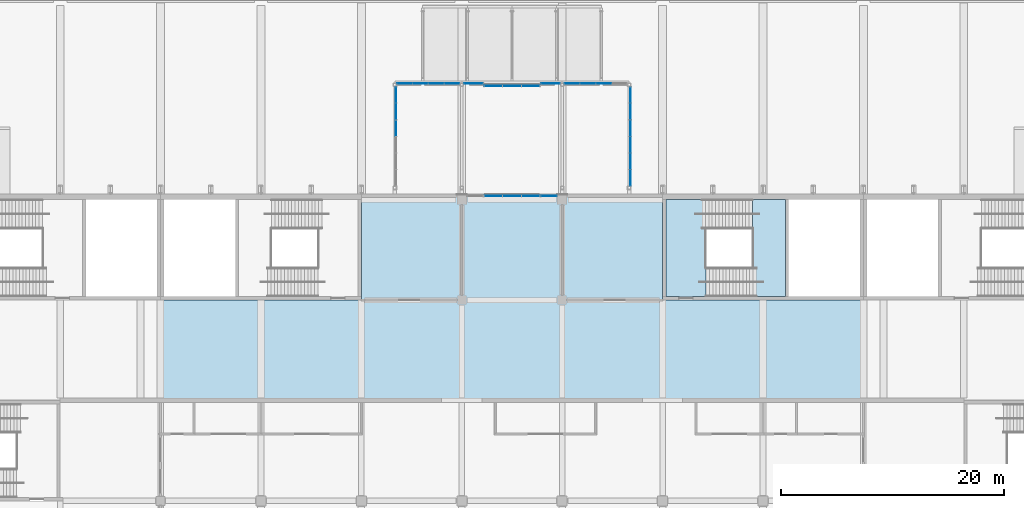
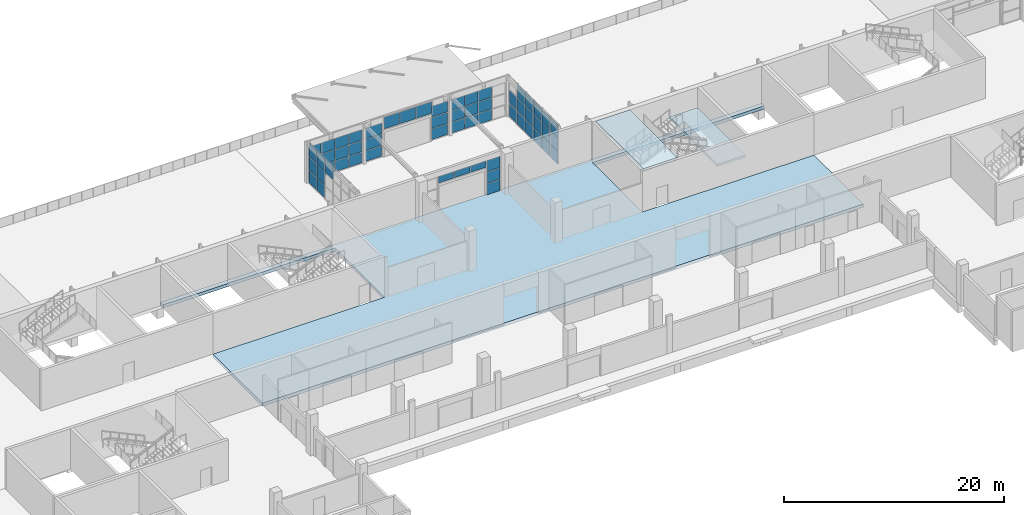
# One storey, part 88 of 168: 60 plates, 3 slabs, 10 elements without a shape of their own.
"""IFC4 building model written with IfcOpenShell, lengths in metres."""

from ifc_helpers import new_model, si_unit, direction, frame, origin, origin_2d, place, context, subcontext, project, spatial, polyline, rectangle, outline, extrude, material, layer, layer_set, type_object, element, aggregate, save


model = new_model("IFC4")

# Units and contexts
model_context = context("Model", 3, precision=1e-05, world=origin(), true_north=direction((0.0, 1.0)))
body_context = subcontext(model_context, "Body", "Model", "MODEL_VIEW")
ifc_project = project(units=[si_unit("LENGTHUNIT", "METRE"), si_unit("AREAUNIT", "SQUARE_METRE"), si_unit("VOLUMEUNIT", "CUBIC_METRE"), si_unit("PLANEANGLEUNIT", "RADIAN"), si_unit("MASSUNIT", "GRAM", prefix="KILO")], contexts=[model_context])

# Site, building, storey
site_placement = place(None, origin())
site = spatial("IfcSite", under=ifc_project, at=site_placement, CompositionType="ELEMENT")
building_placement = place(site_placement, origin())
building = spatial("IfcBuilding", under=site, at=building_placement, Name="Silverbay Arena", CompositionType="ELEMENT")
storey_placement = place(building_placement, frame((0.0, 0.0, 7.0)))
storey = spatial("IfcBuildingStorey", under=building, at=storey_placement, Name="L01", CompositionType="ELEMENT", Elevation=7.0)

# Curtain wall, plates
ifc_material_1 = material(Name="Aluminium framed curtain wall", Category="aluminium")
curtain_wall_type_1 = type_object("IfcCurtainWallType", Name="Curtain wall 1500 x 3900", PredefinedType="NOTDEFINED", material=ifc_material_1)
curtain_wall_1_placement = place(storey_placement, origin())
curtain_wall_1 = element("IfcCurtainWall", 1, at=curtain_wall_1_placement, inside=storey, type_object=curtain_wall_type_1, Name="North curtain wall L01 bay 12", PredefinedType="NOTDEFINED")
ifc_material_2 = material(Name="Laminated glass", Category="glass")
ifc_layer_1 = layer(ifc_material_2, 0.028076171875)
ifc_layer_set_1 = layer_set([ifc_layer_1], Name="Laminated glass")
plate_type = type_object("IfcPlateType", Name="Glass panel 28", PredefinedType="CURTAIN_PANEL", material=ifc_layer_set_1)
plate_1_placement = place(storey_placement, frame((133.800048828125, 144.330078125, 0.050048828125), z_axis=(0.0, 0.0, 1.0), x_axis=(-1.0, 0.0, 0.0)))
plate_1 = element("IfcPlate", 2, at=plate_1_placement, type_object=plate_type, Name="CW4 panel 1.1", PredefinedType="CURTAIN_PANEL", context=body_context, shape_type="SweptSolid", body=[
    extrude(rectangle(XDim=1.3798828125, YDim=0.028076171875, at=origin_2d()), origin(), (0.0, 0.0, 1.0), 1.22509765625),
])
plate_2_placement = place(storey_placement, frame((133.800048828125, 144.330078125, 1.324951171875), z_axis=(0.0, 0.0, 1.0), x_axis=(-1.0, 0.0, 0.0)))
plate_2 = element("IfcPlate", 3, at=plate_2_placement, type_object=plate_type, Name="CW4 panel 1.2", PredefinedType="CURTAIN_PANEL", context=body_context, shape_type="SweptSolid", body=[
    extrude(rectangle(XDim=1.3798828125, YDim=0.028076171875, at=origin_2d()), origin(), (0.0, 0.0, 1.0), 1.25),
])
plate_3_placement = place(storey_placement, frame((133.800048828125, 144.330078125, 2.625), z_axis=(0.0, 0.0, 1.0), x_axis=(-1.0, 0.0, 0.0)))
plate_3 = element("IfcPlate", 4, at=plate_3_placement, type_object=plate_type, Name="CW4 panel 1.3", PredefinedType="CURTAIN_PANEL", context=body_context, shape_type="SweptSolid", body=[
    extrude(rectangle(XDim=1.3798828125, YDim=0.028076171875, at=origin_2d()), origin(), (0.0, 0.0, 1.0), 1.22509765625),
])
aggregate(curtain_wall_1, [plate_1, plate_2, plate_3])

ifc_material_3 = material(Name="Aluminium framed curtain wall", Category="aluminium")
curtain_wall_type_2 = type_object("IfcCurtainWallType", Name="Curtain wall 5100 x 800", PredefinedType="NOTDEFINED", material=ifc_material_3)
curtain_wall_2_placement = place(storey_placement, origin())
curtain_wall_2 = element("IfcCurtainWall", 5, at=curtain_wall_2_placement, inside=storey, type_object=curtain_wall_type_2, Name="North curtain wall L01 bay 12", PredefinedType="NOTDEFINED")
plate_4_placement = place(storey_placement, frame((132.18505859375, 144.330078125, 3.14990234375), z_axis=(0.0, 0.0, 1.0), x_axis=(-1.0, 0.0, 0.0)))
plate_4 = element("IfcPlate", 6, at=plate_4_placement, type_object=plate_type, Name="CW3 panel 1.1", PredefinedType="CURTAIN_PANEL", context=body_context, shape_type="SweptSolid", body=[
    extrude(rectangle(XDim=1.610107421875, YDim=0.028076171875, at=origin_2d()), origin(), (0.0, 0.0, 1.0), 0.699951171875),
])
plate_5_placement = place(storey_placement, frame((130.5, 144.330078125, 3.14990234375), z_axis=(0.0, 0.0, 1.0), x_axis=(-1.0, 0.0, 0.0)))
plate_5 = element("IfcPlate", 7, at=plate_5_placement, type_object=plate_type, Name="CW3 panel 2.1", PredefinedType="CURTAIN_PANEL", context=body_context, shape_type="SweptSolid", body=[
    extrude(rectangle(XDim=1.639892578125, YDim=0.028076171875, at=origin_2d()), origin(), (0.0, 0.0, 1.0), 0.699951171875),
])
plate_6_placement = place(storey_placement, frame((128.81494140625, 144.330078125, 3.14990234375), z_axis=(0.0, 0.0, 1.0), x_axis=(-1.0, 0.0, 0.0)))
plate_6 = element("IfcPlate", 8, at=plate_6_placement, type_object=plate_type, Name="CW3 panel 3.1", PredefinedType="CURTAIN_PANEL", context=body_context, shape_type="SweptSolid", body=[
    extrude(rectangle(XDim=1.610107421875, YDim=0.028076171875, at=origin_2d()), origin(), (0.0, 0.0, 1.0), 0.699951171875),
])
aggregate(curtain_wall_2, [plate_4, plate_5, plate_6])

ifc_material_4 = material(Name="Aluminium framed curtain wall", Category="aluminium")
curtain_wall_type_3 = type_object("IfcCurtainWallType", Name="Curtain wall 5700 x 3800", PredefinedType="NOTDEFINED", material=ifc_material_4)
curtain_wall_3_placement = place(storey_placement, origin())
curtain_wall_3 = element("IfcCurtainWall", 9, at=curtain_wall_3_placement, inside=storey, type_object=curtain_wall_type_3, Name="North entrance hall N1 glazing F0", PredefinedType="NOTDEFINED")
plate_7_placement = place(storey_placement, frame((120.87744140625, 154.409912109375, 0.0498046875), z_axis=(0.0, 0.0, 1.0), x_axis=(1.0, 0.0, 0.0)))
plate_7 = element("IfcPlate", 10, at=plate_7_placement, type_object=plate_type, Name="CW42 panel 1.1", PredefinedType="CURTAIN_PANEL", context=body_context, shape_type="SweptSolid", body=[
    extrude(rectangle(XDim=1.3349609375, YDim=0.028076171875, at=origin_2d()), origin(), (0.0, 0.0, 1.0), 1.191650390625),
])
plate_8_placement = place(storey_placement, frame((120.87744140625, 154.409912109375, 1.29150390625), z_axis=(0.0, 0.0, 1.0), x_axis=(1.0, 0.0, 0.0)))
plate_8 = element("IfcPlate", 11, at=plate_8_placement, type_object=plate_type, Name="CW42 panel 1.2", PredefinedType="CURTAIN_PANEL", context=body_context, shape_type="SweptSolid", body=[
    extrude(rectangle(XDim=1.3349609375, YDim=0.028076171875, at=origin_2d()), origin(), (0.0, 0.0, 1.0), 1.216552734375),
])
plate_9_placement = place(storey_placement, frame((120.87744140625, 154.409912109375, 2.55810546875), z_axis=(0.0, 0.0, 1.0), x_axis=(1.0, 0.0, 0.0)))
plate_9 = element("IfcPlate", 12, at=plate_9_placement, type_object=plate_type, Name="CW42 panel 1.3", PredefinedType="CURTAIN_PANEL", context=body_context, shape_type="SweptSolid", body=[
    extrude(rectangle(XDim=1.3349609375, YDim=0.028076171875, at=origin_2d()), origin(), (0.0, 0.0, 1.0), 1.191650390625),
])
plate_10_placement = place(storey_placement, frame((122.28759765625, 154.409912109375, 0.0498046875), z_axis=(0.0, 0.0, 1.0), x_axis=(1.0, 0.0, 0.0)))
plate_10 = element("IfcPlate", 13, at=plate_10_placement, type_object=plate_type, Name="CW42 panel 2.1", PredefinedType="CURTAIN_PANEL", context=body_context, shape_type="SweptSolid", body=[
    extrude(rectangle(XDim=1.364990234375, YDim=0.028076171875, at=origin_2d()), origin(), (0.0, 0.0, 1.0), 1.191650390625),
])
plate_11_placement = place(storey_placement, frame((122.28759765625, 154.409912109375, 1.29150390625), z_axis=(0.0, 0.0, 1.0), x_axis=(1.0, 0.0, 0.0)))
plate_11 = element("IfcPlate", 14, at=plate_11_placement, type_object=plate_type, Name="CW42 panel 2.2", PredefinedType="CURTAIN_PANEL", context=body_context, shape_type="SweptSolid", body=[
    extrude(rectangle(XDim=1.364990234375, YDim=0.028076171875, at=origin_2d()), origin(), (0.0, 0.0, 1.0), 1.216552734375),
])
plate_12_placement = place(storey_placement, frame((122.28759765625, 154.409912109375, 2.55810546875), z_axis=(0.0, 0.0, 1.0), x_axis=(1.0, 0.0, 0.0)))
plate_12 = element("IfcPlate", 15, at=plate_12_placement, type_object=plate_type, Name="CW42 panel 2.3", PredefinedType="CURTAIN_PANEL", context=body_context, shape_type="SweptSolid", body=[
    extrude(rectangle(XDim=1.364990234375, YDim=0.028076171875, at=origin_2d()), origin(), (0.0, 0.0, 1.0), 1.191650390625),
])
plate_13_placement = place(storey_placement, frame((123.71240234375, 154.409912109375, 0.0498046875), z_axis=(0.0, 0.0, 1.0), x_axis=(1.0, 0.0, 0.0)))
plate_13 = element("IfcPlate", 16, at=plate_13_placement, type_object=plate_type, Name="CW42 panel 3.1", PredefinedType="CURTAIN_PANEL", context=body_context, shape_type="SweptSolid", body=[
    extrude(rectangle(XDim=1.364990234375, YDim=0.028076171875, at=origin_2d()), origin(), (0.0, 0.0, 1.0), 1.191650390625),
])
plate_14_placement = place(storey_placement, frame((123.71240234375, 154.409912109375, 1.29150390625), z_axis=(0.0, 0.0, 1.0), x_axis=(1.0, 0.0, 0.0)))
plate_14 = element("IfcPlate", 17, at=plate_14_placement, type_object=plate_type, Name="CW42 panel 3.2", PredefinedType="CURTAIN_PANEL", context=body_context, shape_type="SweptSolid", body=[
    extrude(rectangle(XDim=1.364990234375, YDim=0.028076171875, at=origin_2d()), origin(), (0.0, 0.0, 1.0), 1.216552734375),
])
plate_15_placement = place(storey_placement, frame((123.71240234375, 154.409912109375, 2.55810546875), z_axis=(0.0, 0.0, 1.0), x_axis=(1.0, 0.0, 0.0)))
plate_15 = element("IfcPlate", 18, at=plate_15_placement, type_object=plate_type, Name="CW42 panel 3.3", PredefinedType="CURTAIN_PANEL", context=body_context, shape_type="SweptSolid", body=[
    extrude(rectangle(XDim=1.364990234375, YDim=0.028076171875, at=origin_2d()), origin(), (0.0, 0.0, 1.0), 1.191650390625),
])
plate_16_placement = place(storey_placement, frame((125.12255859375, 154.409912109375, 0.0498046875), z_axis=(0.0, 0.0, 1.0), x_axis=(1.0, 0.0, 0.0)))
plate_16 = element("IfcPlate", 19, at=plate_16_placement, type_object=plate_type, Name="CW42 panel 4.1", PredefinedType="CURTAIN_PANEL", context=body_context, shape_type="SweptSolid", body=[
    extrude(rectangle(XDim=1.3349609375, YDim=0.028076171875, at=origin_2d()), origin(), (0.0, 0.0, 1.0), 1.191650390625),
])
plate_17_placement = place(storey_placement, frame((125.12255859375, 154.409912109375, 1.29150390625), z_axis=(0.0, 0.0, 1.0), x_axis=(1.0, 0.0, 0.0)))
plate_17 = element("IfcPlate", 20, at=plate_17_placement, type_object=plate_type, Name="CW42 panel 4.2", PredefinedType="CURTAIN_PANEL", context=body_context, shape_type="SweptSolid", body=[
    extrude(rectangle(XDim=1.3349609375, YDim=0.028076171875, at=origin_2d()), origin(), (0.0, 0.0, 1.0), 1.216552734375),
])
plate_18_placement = place(storey_placement, frame((125.12255859375, 154.409912109375, 2.55810546875), z_axis=(0.0, 0.0, 1.0), x_axis=(1.0, 0.0, 0.0)))
plate_18 = element("IfcPlate", 21, at=plate_18_placement, type_object=plate_type, Name="CW42 panel 4.3", PredefinedType="CURTAIN_PANEL", context=body_context, shape_type="SweptSolid", body=[
    extrude(rectangle(XDim=1.3349609375, YDim=0.028076171875, at=origin_2d()), origin(), (0.0, 0.0, 1.0), 1.191650390625),
])
aggregate(curtain_wall_3, [plate_7, plate_8, plate_9, plate_10, plate_11, plate_12, plate_13, plate_14, plate_15, plate_16, plate_17, plate_18])

ifc_material_5 = material(Name="Aluminium framed curtain wall", Category="aluminium")
curtain_wall_type_4 = type_object("IfcCurtainWallType", Name="Curtain wall 1800 x 3800", PredefinedType="NOTDEFINED", material=ifc_material_5)
curtain_wall_4_placement = place(storey_placement, origin())
curtain_wall_4 = element("IfcCurtainWall", 22, at=curtain_wall_4_placement, inside=storey, type_object=curtain_wall_type_4, Name="North entrance hall N1 glazing F1a", PredefinedType="NOTDEFINED")
plate_19_placement = place(storey_placement, frame((127.050048828125, 154.409912109375, 0.0498046875), z_axis=(0.0, 0.0, 1.0), x_axis=(1.0, 0.0, 0.0)))
plate_19 = element("IfcPlate", 23, at=plate_19_placement, type_object=plate_type, Name="CW44 panel 1.1", PredefinedType="CURTAIN_PANEL", context=body_context, shape_type="SweptSolid", body=[
    extrude(rectangle(XDim=1.679931640625, YDim=0.028076171875, at=origin_2d()), origin(), (0.0, 0.0, 1.0), 1.191650390625),
])
plate_20_placement = place(storey_placement, frame((127.050048828125, 154.409912109375, 1.29150390625), z_axis=(0.0, 0.0, 1.0), x_axis=(1.0, 0.0, 0.0)))
plate_20 = element("IfcPlate", 24, at=plate_20_placement, type_object=plate_type, Name="CW44 panel 1.2", PredefinedType="CURTAIN_PANEL", context=body_context, shape_type="SweptSolid", body=[
    extrude(rectangle(XDim=1.679931640625, YDim=0.028076171875, at=origin_2d()), origin(), (0.0, 0.0, 1.0), 1.216552734375),
])
plate_21_placement = place(storey_placement, frame((127.050048828125, 154.409912109375, 2.55810546875), z_axis=(0.0, 0.0, 1.0), x_axis=(1.0, 0.0, 0.0)))
plate_21 = element("IfcPlate", 25, at=plate_21_placement, type_object=plate_type, Name="CW44 panel 1.3", PredefinedType="CURTAIN_PANEL", context=body_context, shape_type="SweptSolid", body=[
    extrude(rectangle(XDim=1.679931640625, YDim=0.028076171875, at=origin_2d()), origin(), (0.0, 0.0, 1.0), 1.191650390625),
])
aggregate(curtain_wall_4, [plate_19, plate_20, plate_21])

curtain_wall_5_placement = place(storey_placement, origin())
curtain_wall_5 = element("IfcCurtainWall", 26, at=curtain_wall_5_placement, inside=storey, type_object=curtain_wall_type_4, Name="North entrance hall N1 glazing F1b", PredefinedType="NOTDEFINED")
plate_22_placement = place(storey_placement, frame((133.949951171875, 154.409912109375, 0.0498046875), z_axis=(0.0, 0.0, 1.0), x_axis=(1.0, 0.0, 0.0)))
plate_22 = element("IfcPlate", 27, at=plate_22_placement, type_object=plate_type, Name="CW44 panel 1.1", PredefinedType="CURTAIN_PANEL", context=body_context, shape_type="SweptSolid", body=[
    extrude(rectangle(XDim=1.679931640625, YDim=0.028076171875, at=origin_2d()), origin(), (0.0, 0.0, 1.0), 1.191650390625),
])
plate_23_placement = place(storey_placement, frame((133.949951171875, 154.409912109375, 1.29150390625), z_axis=(0.0, 0.0, 1.0), x_axis=(1.0, 0.0, 0.0)))
plate_23 = element("IfcPlate", 28, at=plate_23_placement, type_object=plate_type, Name="CW44 panel 1.2", PredefinedType="CURTAIN_PANEL", context=body_context, shape_type="SweptSolid", body=[
    extrude(rectangle(XDim=1.679931640625, YDim=0.028076171875, at=origin_2d()), origin(), (0.0, 0.0, 1.0), 1.216552734375),
])
plate_24_placement = place(storey_placement, frame((133.949951171875, 154.409912109375, 2.55810546875), z_axis=(0.0, 0.0, 1.0), x_axis=(1.0, 0.0, 0.0)))
plate_24 = element("IfcPlate", 29, at=plate_24_placement, type_object=plate_type, Name="CW44 panel 1.3", PredefinedType="CURTAIN_PANEL", context=body_context, shape_type="SweptSolid", body=[
    extrude(rectangle(XDim=1.679931640625, YDim=0.028076171875, at=origin_2d()), origin(), (0.0, 0.0, 1.0), 1.191650390625),
])
aggregate(curtain_wall_5, [plate_22, plate_23, plate_24])

curtain_wall_6_placement = place(storey_placement, origin())
curtain_wall_6 = element("IfcCurtainWall", 30, at=curtain_wall_6_placement, inside=storey, type_object=curtain_wall_type_3, Name="North entrance hall N1 glazing F2", PredefinedType="NOTDEFINED")
plate_25_placement = place(storey_placement, frame((135.87744140625, 154.409912109375, 0.0498046875), z_axis=(0.0, 0.0, 1.0), x_axis=(1.0, 0.0, 0.0)))
plate_25 = element("IfcPlate", 31, at=plate_25_placement, type_object=plate_type, Name="CW42 panel 1.1", PredefinedType="CURTAIN_PANEL", context=body_context, shape_type="SweptSolid", body=[
    extrude(rectangle(XDim=1.3349609375, YDim=0.028076171875, at=origin_2d()), origin(), (0.0, 0.0, 1.0), 1.191650390625),
])
plate_26_placement = place(storey_placement, frame((135.87744140625, 154.409912109375, 1.29150390625), z_axis=(0.0, 0.0, 1.0), x_axis=(1.0, 0.0, 0.0)))
plate_26 = element("IfcPlate", 32, at=plate_26_placement, type_object=plate_type, Name="CW42 panel 1.2", PredefinedType="CURTAIN_PANEL", context=body_context, shape_type="SweptSolid", body=[
    extrude(rectangle(XDim=1.3349609375, YDim=0.028076171875, at=origin_2d()), origin(), (0.0, 0.0, 1.0), 1.216552734375),
])
plate_27_placement = place(storey_placement, frame((135.87744140625, 154.409912109375, 2.55810546875), z_axis=(0.0, 0.0, 1.0), x_axis=(1.0, 0.0, 0.0)))
plate_27 = element("IfcPlate", 33, at=plate_27_placement, type_object=plate_type, Name="CW42 panel 1.3", PredefinedType="CURTAIN_PANEL", context=body_context, shape_type="SweptSolid", body=[
    extrude(rectangle(XDim=1.3349609375, YDim=0.028076171875, at=origin_2d()), origin(), (0.0, 0.0, 1.0), 1.191650390625),
])
plate_28_placement = place(storey_placement, frame((137.28759765625, 154.409912109375, 0.0498046875), z_axis=(0.0, 0.0, 1.0), x_axis=(1.0, 0.0, 0.0)))
plate_28 = element("IfcPlate", 34, at=plate_28_placement, type_object=plate_type, Name="CW42 panel 2.1", PredefinedType="CURTAIN_PANEL", context=body_context, shape_type="SweptSolid", body=[
    extrude(rectangle(XDim=1.364990234375, YDim=0.028076171875, at=origin_2d()), origin(), (0.0, 0.0, 1.0), 1.191650390625),
])
plate_29_placement = place(storey_placement, frame((137.28759765625, 154.409912109375, 1.29150390625), z_axis=(0.0, 0.0, 1.0), x_axis=(1.0, 0.0, 0.0)))
plate_29 = element("IfcPlate", 35, at=plate_29_placement, type_object=plate_type, Name="CW42 panel 2.2", PredefinedType="CURTAIN_PANEL", context=body_context, shape_type="SweptSolid", body=[
    extrude(rectangle(XDim=1.364990234375, YDim=0.028076171875, at=origin_2d()), origin(), (0.0, 0.0, 1.0), 1.216552734375),
])
plate_30_placement = place(storey_placement, frame((137.28759765625, 154.409912109375, 2.55810546875), z_axis=(0.0, 0.0, 1.0), x_axis=(1.0, 0.0, 0.0)))
plate_30 = element("IfcPlate", 36, at=plate_30_placement, type_object=plate_type, Name="CW42 panel 2.3", PredefinedType="CURTAIN_PANEL", context=body_context, shape_type="SweptSolid", body=[
    extrude(rectangle(XDim=1.364990234375, YDim=0.028076171875, at=origin_2d()), origin(), (0.0, 0.0, 1.0), 1.191650390625),
])
plate_31_placement = place(storey_placement, frame((138.71240234375, 154.409912109375, 0.0498046875), z_axis=(0.0, 0.0, 1.0), x_axis=(1.0, 0.0, 0.0)))
plate_31 = element("IfcPlate", 37, at=plate_31_placement, type_object=plate_type, Name="CW42 panel 3.1", PredefinedType="CURTAIN_PANEL", context=body_context, shape_type="SweptSolid", body=[
    extrude(rectangle(XDim=1.364990234375, YDim=0.028076171875, at=origin_2d()), origin(), (0.0, 0.0, 1.0), 1.191650390625),
])
plate_32_placement = place(storey_placement, frame((138.71240234375, 154.409912109375, 1.29150390625), z_axis=(0.0, 0.0, 1.0), x_axis=(1.0, 0.0, 0.0)))
plate_32 = element("IfcPlate", 38, at=plate_32_placement, type_object=plate_type, Name="CW42 panel 3.2", PredefinedType="CURTAIN_PANEL", context=body_context, shape_type="SweptSolid", body=[
    extrude(rectangle(XDim=1.364990234375, YDim=0.028076171875, at=origin_2d()), origin(), (0.0, 0.0, 1.0), 1.216552734375),
])
plate_33_placement = place(storey_placement, frame((138.71240234375, 154.409912109375, 2.55810546875), z_axis=(0.0, 0.0, 1.0), x_axis=(1.0, 0.0, 0.0)))
plate_33 = element("IfcPlate", 39, at=plate_33_placement, type_object=plate_type, Name="CW42 panel 3.3", PredefinedType="CURTAIN_PANEL", context=body_context, shape_type="SweptSolid", body=[
    extrude(rectangle(XDim=1.364990234375, YDim=0.028076171875, at=origin_2d()), origin(), (0.0, 0.0, 1.0), 1.191650390625),
])
aggregate(curtain_wall_6, [plate_25, plate_26, plate_27, plate_28, plate_29, plate_30, plate_31, plate_32, plate_33])

ifc_material_6 = material(Name="Aluminium framed curtain wall", Category="aluminium")
curtain_wall_type_5 = type_object("IfcCurtainWallType", Name="Curtain wall 8950 x 4500", PredefinedType="NOTDEFINED", material=ifc_material_6)
curtain_wall_7_placement = place(storey_placement, origin())
curtain_wall_7 = element("IfcCurtainWall", 40, at=curtain_wall_7_placement, inside=storey, type_object=curtain_wall_type_5, Name="North entrance hall N1 glazing SA", PredefinedType="NOTDEFINED")
plate_34_placement = place(storey_placement, frame((120.110107421875, 153.38916015625, 0.0498046875), z_axis=(0.0, 0.0, 1.0), x_axis=(0.0, -1.0, 0.0)))
plate_34 = element("IfcPlate", 41, at=plate_34_placement, type_object=plate_type, Name="CW46 panel 1.1", PredefinedType="CURTAIN_PANEL", context=body_context, shape_type="SweptSolid", body=[
    extrude(rectangle(XDim=1.401611328125, YDim=0.028076171875, at=origin_2d()), origin(), (0.0, 0.0, 1.0), 1.425048828125),
])
plate_35_placement = place(storey_placement, frame((120.110107421875, 153.38916015625, 1.52490234375), z_axis=(0.0, 0.0, 1.0), x_axis=(0.0, -1.0, 0.0)))
plate_35 = element("IfcPlate", 42, at=plate_35_placement, type_object=plate_type, Name="CW46 panel 1.2", PredefinedType="CURTAIN_PANEL", context=body_context, shape_type="SweptSolid", body=[
    extrude(rectangle(XDim=1.401611328125, YDim=0.028076171875, at=origin_2d()), origin(), (0.0, 0.0, 1.0), 1.449951171875),
])
plate_36_placement = place(storey_placement, frame((120.110107421875, 153.38916015625, 3.02490234375), z_axis=(0.0, 0.0, 1.0), x_axis=(0.0, -1.0, 0.0)))
plate_36 = element("IfcPlate", 43, at=plate_36_placement, type_object=plate_type, Name="CW46 panel 1.3", PredefinedType="CURTAIN_PANEL", context=body_context, shape_type="SweptSolid", body=[
    extrude(rectangle(XDim=1.401611328125, YDim=0.028076171875, at=origin_2d()), origin(), (0.0, 0.0, 1.0), 1.425048828125),
])
plate_37_placement = place(storey_placement, frame((120.110107421875, 151.91259765625, 0.0498046875), z_axis=(0.0, 0.0, 1.0), x_axis=(0.0, -1.0, 0.0)))
plate_37 = element("IfcPlate", 44, at=plate_37_placement, type_object=plate_type, Name="CW46 panel 2.1", PredefinedType="CURTAIN_PANEL", context=body_context, shape_type="SweptSolid", body=[
    extrude(rectangle(XDim=1.431640625, YDim=0.028076171875, at=origin_2d()), origin(), (0.0, 0.0, 1.0), 1.425048828125),
])
plate_38_placement = place(storey_placement, frame((120.110107421875, 151.91259765625, 1.52490234375), z_axis=(0.0, 0.0, 1.0), x_axis=(0.0, -1.0, 0.0)))
plate_38 = element("IfcPlate", 45, at=plate_38_placement, type_object=plate_type, Name="CW46 panel 2.2", PredefinedType="CURTAIN_PANEL", context=body_context, shape_type="SweptSolid", body=[
    extrude(rectangle(XDim=1.431640625, YDim=0.028076171875, at=origin_2d()), origin(), (0.0, 0.0, 1.0), 1.449951171875),
])
plate_39_placement = place(storey_placement, frame((120.110107421875, 151.91259765625, 3.02490234375), z_axis=(0.0, 0.0, 1.0), x_axis=(0.0, -1.0, 0.0)))
plate_39 = element("IfcPlate", 46, at=plate_39_placement, type_object=plate_type, Name="CW46 panel 2.3", PredefinedType="CURTAIN_PANEL", context=body_context, shape_type="SweptSolid", body=[
    extrude(rectangle(XDim=1.431640625, YDim=0.028076171875, at=origin_2d()), origin(), (0.0, 0.0, 1.0), 1.425048828125),
])
plate_40_placement = place(storey_placement, frame((120.110107421875, 150.4208984375, 3.02490234375), z_axis=(0.0, 0.0, 1.0), x_axis=(0.0, -1.0, 0.0)))
plate_40 = element("IfcPlate", 47, at=plate_40_placement, type_object=plate_type, Name="CW46 panel 3.3", PredefinedType="CURTAIN_PANEL", context=body_context, shape_type="SweptSolid", body=[
    extrude(rectangle(XDim=1.431640625, YDim=0.028076171875, at=origin_2d()), origin(), (0.0, 0.0, 1.0), 1.425048828125),
])
aggregate(curtain_wall_7, [plate_34, plate_35, plate_36, plate_37, plate_38, plate_39, plate_40])

curtain_wall_8_placement = place(storey_placement, origin())
curtain_wall_8 = element("IfcCurtainWall", 48, at=curtain_wall_8_placement, inside=storey, type_object=curtain_wall_type_5, Name="North entrance hall N1 glazing SB", PredefinedType="NOTDEFINED")
plate_41_placement = place(storey_placement, frame((141.110107421875, 153.38916015625, 0.0498046875), z_axis=(0.0, 0.0, 1.0), x_axis=(0.0, -1.0, 0.0)))
plate_41 = element("IfcPlate", 49, at=plate_41_placement, type_object=plate_type, Name="CW46 panel 1.1", PredefinedType="CURTAIN_PANEL", context=body_context, shape_type="SweptSolid", body=[
    extrude(rectangle(XDim=1.401611328125, YDim=0.028076171875, at=origin_2d()), origin(), (0.0, 0.0, 1.0), 1.425048828125),
])
plate_42_placement = place(storey_placement, frame((141.110107421875, 153.38916015625, 1.52490234375), z_axis=(0.0, 0.0, 1.0), x_axis=(0.0, -1.0, 0.0)))
plate_42 = element("IfcPlate", 50, at=plate_42_placement, type_object=plate_type, Name="CW46 panel 1.2", PredefinedType="CURTAIN_PANEL", context=body_context, shape_type="SweptSolid", body=[
    extrude(rectangle(XDim=1.401611328125, YDim=0.028076171875, at=origin_2d()), origin(), (0.0, 0.0, 1.0), 1.449951171875),
])
plate_43_placement = place(storey_placement, frame((141.110107421875, 151.91259765625, 0.0498046875), z_axis=(0.0, 0.0, 1.0), x_axis=(0.0, -1.0, 0.0)))
plate_43 = element("IfcPlate", 51, at=plate_43_placement, type_object=plate_type, Name="CW46 panel 2.1", PredefinedType="CURTAIN_PANEL", context=body_context, shape_type="SweptSolid", body=[
    extrude(rectangle(XDim=1.431640625, YDim=0.028076171875, at=origin_2d()), origin(), (0.0, 0.0, 1.0), 1.425048828125),
])
plate_44_placement = place(storey_placement, frame((141.110107421875, 151.91259765625, 1.52490234375), z_axis=(0.0, 0.0, 1.0), x_axis=(0.0, -1.0, 0.0)))
plate_44 = element("IfcPlate", 52, at=plate_44_placement, type_object=plate_type, Name="CW46 panel 2.2", PredefinedType="CURTAIN_PANEL", context=body_context, shape_type="SweptSolid", body=[
    extrude(rectangle(XDim=1.431640625, YDim=0.028076171875, at=origin_2d()), origin(), (0.0, 0.0, 1.0), 1.449951171875),
])
plate_45_placement = place(storey_placement, frame((141.110107421875, 151.91259765625, 3.02490234375), z_axis=(0.0, 0.0, 1.0), x_axis=(0.0, -1.0, 0.0)))
plate_45 = element("IfcPlate", 53, at=plate_45_placement, type_object=plate_type, Name="CW46 panel 2.3", PredefinedType="CURTAIN_PANEL", context=body_context, shape_type="SweptSolid", body=[
    extrude(rectangle(XDim=1.431640625, YDim=0.028076171875, at=origin_2d()), origin(), (0.0, 0.0, 1.0), 1.425048828125),
])
plate_46_placement = place(storey_placement, frame((141.110107421875, 150.4208984375, 0.0498046875), z_axis=(0.0, 0.0, 1.0), x_axis=(0.0, -1.0, 0.0)))
plate_46 = element("IfcPlate", 54, at=plate_46_placement, type_object=plate_type, Name="CW46 panel 3.1", PredefinedType="CURTAIN_PANEL", context=body_context, shape_type="SweptSolid", body=[
    extrude(rectangle(XDim=1.431640625, YDim=0.028076171875, at=origin_2d()), origin(), (0.0, 0.0, 1.0), 1.425048828125),
])
plate_47_placement = place(storey_placement, frame((141.110107421875, 150.4208984375, 1.52490234375), z_axis=(0.0, 0.0, 1.0), x_axis=(0.0, -1.0, 0.0)))
plate_47 = element("IfcPlate", 55, at=plate_47_placement, type_object=plate_type, Name="CW46 panel 3.2", PredefinedType="CURTAIN_PANEL", context=body_context, shape_type="SweptSolid", body=[
    extrude(rectangle(XDim=1.431640625, YDim=0.028076171875, at=origin_2d()), origin(), (0.0, 0.0, 1.0), 1.449951171875),
])
plate_48_placement = place(storey_placement, frame((141.110107421875, 150.4208984375, 3.02490234375), z_axis=(0.0, 0.0, 1.0), x_axis=(0.0, -1.0, 0.0)))
plate_48 = element("IfcPlate", 56, at=plate_48_placement, type_object=plate_type, Name="CW46 panel 3.3", PredefinedType="CURTAIN_PANEL", context=body_context, shape_type="SweptSolid", body=[
    extrude(rectangle(XDim=1.431640625, YDim=0.028076171875, at=origin_2d()), origin(), (0.0, 0.0, 1.0), 1.425048828125),
])
plate_49_placement = place(storey_placement, frame((141.110107421875, 148.92919921875, 0.0498046875), z_axis=(0.0, 0.0, 1.0), x_axis=(0.0, -1.0, 0.0)))
plate_49 = element("IfcPlate", 57, at=plate_49_placement, type_object=plate_type, Name="CW46 panel 4.1", PredefinedType="CURTAIN_PANEL", context=body_context, shape_type="SweptSolid", body=[
    extrude(rectangle(XDim=1.431640625, YDim=0.028076171875, at=origin_2d()), origin(), (0.0, 0.0, 1.0), 1.425048828125),
])
plate_50_placement = place(storey_placement, frame((141.110107421875, 148.92919921875, 1.52490234375), z_axis=(0.0, 0.0, 1.0), x_axis=(0.0, -1.0, 0.0)))
plate_50 = element("IfcPlate", 58, at=plate_50_placement, type_object=plate_type, Name="CW46 panel 4.2", PredefinedType="CURTAIN_PANEL", context=body_context, shape_type="SweptSolid", body=[
    extrude(rectangle(XDim=1.431640625, YDim=0.028076171875, at=origin_2d()), origin(), (0.0, 0.0, 1.0), 1.449951171875),
])
plate_51_placement = place(storey_placement, frame((141.110107421875, 148.92919921875, 3.02490234375), z_axis=(0.0, 0.0, 1.0), x_axis=(0.0, -1.0, 0.0)))
plate_51 = element("IfcPlate", 59, at=plate_51_placement, type_object=plate_type, Name="CW46 panel 4.3", PredefinedType="CURTAIN_PANEL", context=body_context, shape_type="SweptSolid", body=[
    extrude(rectangle(XDim=1.431640625, YDim=0.028076171875, at=origin_2d()), origin(), (0.0, 0.0, 1.0), 1.425048828125),
])
plate_52_placement = place(storey_placement, frame((141.110107421875, 147.4375, 0.0498046875), z_axis=(0.0, 0.0, 1.0), x_axis=(0.0, -1.0, 0.0)))
plate_52 = element("IfcPlate", 60, at=plate_52_placement, type_object=plate_type, Name="CW46 panel 5.1", PredefinedType="CURTAIN_PANEL", context=body_context, shape_type="SweptSolid", body=[
    extrude(rectangle(XDim=1.431640625, YDim=0.028076171875, at=origin_2d()), origin(), (0.0, 0.0, 1.0), 1.425048828125),
])
plate_53_placement = place(storey_placement, frame((141.110107421875, 147.4375, 1.52490234375), z_axis=(0.0, 0.0, 1.0), x_axis=(0.0, -1.0, 0.0)))
plate_53 = element("IfcPlate", 61, at=plate_53_placement, type_object=plate_type, Name="CW46 panel 5.2", PredefinedType="CURTAIN_PANEL", context=body_context, shape_type="SweptSolid", body=[
    extrude(rectangle(XDim=1.431640625, YDim=0.028076171875, at=origin_2d()), origin(), (0.0, 0.0, 1.0), 1.449951171875),
])
plate_54_placement = place(storey_placement, frame((141.110107421875, 147.4375, 3.02490234375), z_axis=(0.0, 0.0, 1.0), x_axis=(0.0, -1.0, 0.0)))
plate_54 = element("IfcPlate", 62, at=plate_54_placement, type_object=plate_type, Name="CW46 panel 5.3", PredefinedType="CURTAIN_PANEL", context=body_context, shape_type="SweptSolid", body=[
    extrude(rectangle(XDim=1.431640625, YDim=0.028076171875, at=origin_2d()), origin(), (0.0, 0.0, 1.0), 1.425048828125),
])
plate_55_placement = place(storey_placement, frame((141.110107421875, 145.9609375, 0.0498046875), z_axis=(0.0, 0.0, 1.0), x_axis=(0.0, -1.0, 0.0)))
plate_55 = element("IfcPlate", 63, at=plate_55_placement, type_object=plate_type, Name="CW46 panel 6.1", PredefinedType="CURTAIN_PANEL", context=body_context, shape_type="SweptSolid", body=[
    extrude(rectangle(XDim=1.401611328125, YDim=0.028076171875, at=origin_2d()), origin(), (0.0, 0.0, 1.0), 1.425048828125),
])
plate_56_placement = place(storey_placement, frame((141.110107421875, 145.9609375, 1.52490234375), z_axis=(0.0, 0.0, 1.0), x_axis=(0.0, -1.0, 0.0)))
plate_56 = element("IfcPlate", 64, at=plate_56_placement, type_object=plate_type, Name="CW46 panel 6.2", PredefinedType="CURTAIN_PANEL", context=body_context, shape_type="SweptSolid", body=[
    extrude(rectangle(XDim=1.401611328125, YDim=0.028076171875, at=origin_2d()), origin(), (0.0, 0.0, 1.0), 1.449951171875),
])
plate_57_placement = place(storey_placement, frame((141.110107421875, 145.9609375, 3.02490234375), z_axis=(0.0, 0.0, 1.0), x_axis=(0.0, -1.0, 0.0)))
plate_57 = element("IfcPlate", 65, at=plate_57_placement, type_object=plate_type, Name="CW46 panel 6.3", PredefinedType="CURTAIN_PANEL", context=body_context, shape_type="SweptSolid", body=[
    extrude(rectangle(XDim=1.401611328125, YDim=0.028076171875, at=origin_2d()), origin(), (0.0, 0.0, 1.0), 1.425048828125),
])
aggregate(curtain_wall_8, [plate_41, plate_42, plate_43, plate_44, plate_45, plate_46, plate_47, plate_48, plate_49, plate_50, plate_51, plate_52, plate_53, plate_54, plate_55, plate_56, plate_57])

ifc_material_7 = material(Name="Aluminium framed curtain wall", Category="aluminium")
curtain_wall_type_6 = type_object("IfcCurtainWallType", Name="Curtain wall 5100 x 1400", PredefinedType="NOTDEFINED", material=ifc_material_7)
curtain_wall_9_placement = place(storey_placement, origin())
curtain_wall_9 = element("IfcCurtainWall", 66, at=curtain_wall_9_placement, inside=storey, type_object=curtain_wall_type_6, Name="North entrance hall N1 glazing over the door", PredefinedType="NOTDEFINED")
plate_58_placement = place(storey_placement, frame((132.18505859375, 154.18994140625, 3.14990234375), z_axis=(0.0, 0.0, 1.0), x_axis=(-1.0, 0.0, 0.0)))
plate_58 = element("IfcPlate", 67, at=plate_58_placement, type_object=plate_type, Name="CW39 panel 1.1", PredefinedType="CURTAIN_PANEL", context=body_context, shape_type="SweptSolid", body=[
    extrude(rectangle(XDim=1.610107421875, YDim=0.028076171875, at=origin_2d()), origin(), (0.0, 0.0, 1.0), 1.300048828125),
])
plate_59_placement = place(storey_placement, frame((130.5, 154.18994140625, 3.14990234375), z_axis=(0.0, 0.0, 1.0), x_axis=(-1.0, 0.0, 0.0)))
plate_59 = element("IfcPlate", 68, at=plate_59_placement, type_object=plate_type, Name="CW39 panel 2.1", PredefinedType="CURTAIN_PANEL", context=body_context, shape_type="SweptSolid", body=[
    extrude(rectangle(XDim=1.639892578125, YDim=0.028076171875, at=origin_2d()), origin(), (0.0, 0.0, 1.0), 1.300048828125),
])
plate_60_placement = place(storey_placement, frame((128.81494140625, 154.18994140625, 3.14990234375), z_axis=(0.0, 0.0, 1.0), x_axis=(-1.0, 0.0, 0.0)))
plate_60 = element("IfcPlate", 69, at=plate_60_placement, type_object=plate_type, Name="CW39 panel 3.1", PredefinedType="CURTAIN_PANEL", context=body_context, shape_type="SweptSolid", body=[
    extrude(rectangle(XDim=1.610107421875, YDim=0.028076171875, at=origin_2d()), origin(), (0.0, 0.0, 1.0), 1.300048828125),
])
aggregate(curtain_wall_9, [plate_58, plate_59, plate_60])

# Slab
ifc_material_8 = material(Name="Concrete Grade C45", Category="concrete")
ifc_layer_2 = layer(ifc_material_8, 0.35009765625)
ifc_layer_set_2 = layer_set([ifc_layer_2], Name="Concrete Grade C45")
slab_type_1 = type_object("IfcSlabType", Name="RC floor slab 350", PredefinedType="FLOOR", material=ifc_layer_set_2)
slab_1_placement = place(storey_placement, frame((0.0, 0.0, -0.35009765625)))
element("IfcSlab", 70, at=slab_1_placement, inside=storey, type_object=slab_type_1, Name="Floor slab L01 unit 22", PredefinedType="FLOOR", context=body_context, shape_type="SweptSolid", body=[
    extrude(outline(polyline([(99.0, 144.0), (99.0, 144.5), (162.0, 144.5), (162.0, 144.0), (144.0, 144.0), (144.0, 135.0), (162.0, 135.0), (162.0, 126.02490234375), (99.0, 126.02490234375), (99.0, 135.0), (117.0, 135.0), (117.0, 144.0), (99.0, 144.0)])), origin(), (0.0, 0.0, 1.0), 0.35009765625),
])

# Stair, slabs
ifc_material_9 = material(Name="Concrete Grade C45", Category="concrete")
stair_type = type_object("IfcStairType", Name="Stair 2600 wide 32 risers 140.6 x 300", PredefinedType="HALF_TURN_STAIR", material=ifc_material_9)
stair_placement = place(storey_placement, origin())
stair = element("IfcStair", 71, at=stair_placement, inside=storey, type_object=stair_type, Name="Stair ST-N3 L01 to L02", PredefinedType="HALF_TURN_STAIR")
ifc_material_10 = material(Name="Concrete Grade C45", Category="concrete")
ifc_layer_3 = layer(ifc_material_10, 0.25)
ifc_layer_set_3 = layer_set([ifc_layer_3], Name="Concrete Grade C45")
slab_type_2 = type_object("IfcSlabType", Name="Stair landing RC 250", PredefinedType="LANDING", material=ifc_layer_set_3)
slab_2_placement = place(storey_placement, frame((0.0, 0.0, 2.0)))
slab_2 = element("IfcSlab", 72, at=slab_2_placement, type_object=slab_type_2, Name="Stair ST-N3 L01 to L02 landing 1", PredefinedType="LANDING", context=body_context, shape_type="SweptSolid", body=[
    extrude(outline(polyline([(152.046630859375, 135.300048828125), (155.0, 135.300048828125), (155.0, 144.0), (152.046630859375, 144.0), (152.046630859375, 135.300048828125)])), origin(), (0.0, 0.0, 1.0), 0.25),
])
slab_3_placement = place(storey_placement, frame((0.0, 0.0, 4.25)))
slab_3 = element("IfcSlab", 73, at=slab_3_placement, type_object=slab_type_2, Name="Stair ST-N3 L01 to L02 landing 2", PredefinedType="LANDING", context=body_context, shape_type="SweptSolid", body=[
    extrude(outline(polyline([(144.300048828125, 135.300048828125), (147.89990234375, 135.300048828125), (147.89990234375, 144.0), (144.300048828125, 144.0), (144.300048828125, 135.300048828125)])), origin(), (0.0, 0.0, 1.0), 0.25),
])
aggregate(stair, [slab_2, slab_3])

save(model, "model.ifc")
